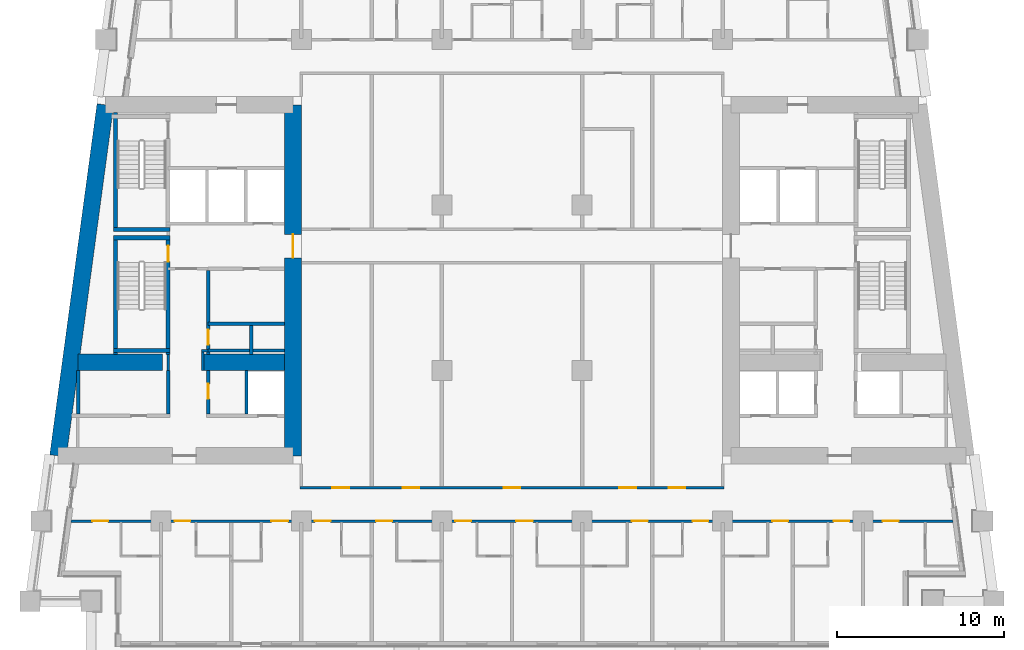
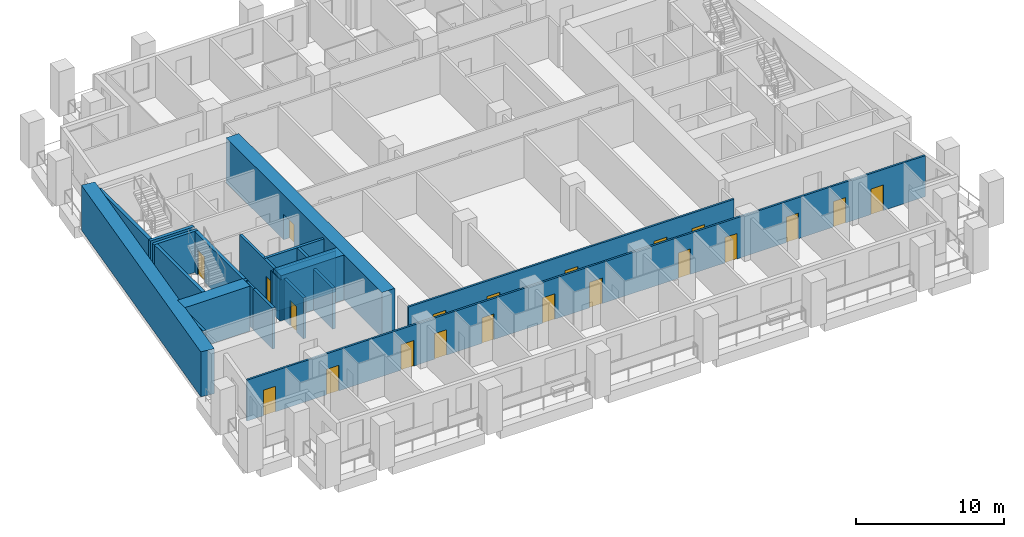
# One storey, part 4 of 14: 23 walls, 21 doors, 21 openings.
"""IFC4 building model written with IfcOpenShell, lengths in metres."""

from ifc_helpers import new_model, si_unit, direction, frame, frame_2d, origin, place, context, subcontext, project, spatial, rectangle, extrude, material, layer, layer_set, type_object, element, fill, save


model = new_model("IFC4")

# Units and contexts
model_context = context("Model", 3, precision=1e-05, world=origin(), true_north=direction((0.0, 1.0)))
body_context = subcontext(model_context, "Body", "Model", "MODEL_VIEW")
ifc_project = project(units=[si_unit("LENGTHUNIT", "METRE"), si_unit("AREAUNIT", "SQUARE_METRE"), si_unit("VOLUMEUNIT", "CUBIC_METRE"), si_unit("PLANEANGLEUNIT", "RADIAN"), si_unit("MASSUNIT", "GRAM", prefix="KILO")], contexts=[model_context])

# Site, building, storey
site_placement = place(None, origin())
site = spatial("IfcSite", under=ifc_project, at=site_placement, CompositionType="ELEMENT")
building_placement = place(site_placement, origin())
building = spatial("IfcBuilding", under=site, at=building_placement, Name="Candeia Pilgrim Tower and Theatre", CompositionType="ELEMENT")
storey_placement = place(building_placement, frame((0.0, 0.0, 116.89990234375)))
storey = spatial("IfcBuildingStorey", under=building, at=storey_placement, Name="L27", CompositionType="ELEMENT", Elevation=116.89990234375)

# Wall, opening, door
ifc_material_1 = material(Name="Concrete C70/85", Category="concrete")
ifc_layer_1 = layer(ifc_material_1, 1.0)
ifc_layer_set_1 = layer_set([ifc_layer_1], Name="Core wall 1000 C70/85")
wall_type_1 = type_object("IfcWallType", Name="Core wall 1000 C70/85", PredefinedType="SHEAR", material=ifc_layer_set_1)
wall_1_placement = place(storey_placement, frame((100.300048828125, 131.89990234375, 0.0), z_axis=(0.0, 0.0, 1.0), x_axis=(0.0, -1.0, 0.0)))
wall_1 = element("IfcWall", 1, at=wall_1_placement, inside=storey, type_object=wall_type_1, Name="Core wall W2", PredefinedType="SHEAR", context=body_context, shape_type="SweptSolid", body=[
    extrude(rectangle(XDim=21.0, YDim=1.0, at=frame_2d((10.5, 0.0))), origin(), (0.0, 0.0, 1.0), 3.7001953125),
])
opening_1_placement = place(wall_1_placement, frame((7.75, 0.0, 0.0)))
opening_1 = element("IfcOpeningElement", 2, at=opening_1_placement, cuts=wall_1, Name="Opening L27-D068", PredefinedType="OPENING", context=body_context, shape_type="SweptSolid", body=[
    extrude(rectangle(XDim=1.39990234375, YDim=2.10009765625, at=frame_2d((0.699951171875, 1.050048828125))), frame((0.0, 0.510009765625, 0.0), z_axis=(0.0, -1.0, 0.0), x_axis=(1.0, 0.0, 0.0)), (0.0, 0.0, 1.0), 1.02001953125),
])
ifc_material_2 = material(Name="Steel fire door set", Category="steel")
door_type_1 = type_object("IfcDoorType", Name="D-1400-FD60", OperationType="NOTDEFINED", PredefinedType="DOOR", material=ifc_material_2)
door_1_placement = place(opening_1_placement, origin())
door_1 = element("IfcDoor", 3, at=door_1_placement, inside=storey, type_object=door_type_1, Name="Door L27-D068", OperationType="SINGLE_SWING_LEFT", OverallHeight=2.10009765625, OverallWidth=1.39990234375, PredefinedType="DOOR", context=body_context, shape_type="SweptSolid", body=[
    extrude(rectangle(XDim=1.39990234375, YDim=2.10009765625, at=frame_2d((0.699951171875, 1.050048828125))), frame((0.0, 0.02490234375, 0.0), z_axis=(0.0, -1.0, 0.0), x_axis=(1.0, 0.0, 0.0)), (0.0, 0.0, 1.0), 0.050048828125),
])
fill(opening_1, door_1)

# Walls
wall_2_placement = place(storey_placement, frame((86.240966796875, 110.89990234375, 0.0), z_axis=(0.0, 0.0, 1.0), x_axis=(0.133411141623, 0.991060778808, 0.0)))
element("IfcWall", 4, at=wall_2_placement, inside=storey, type_object=wall_type_1, Name="Core wall W4", PredefinedType="SHEAR", context=body_context, shape_type="SweptSolid", body=[
    extrude(rectangle(XDim=21.189453125, YDim=1.0, at=frame_2d((10.5947265625, 0.0))), origin(), (0.0, 0.0, 1.0), 3.7001953125),
])
wall_3_placement = place(storey_placement, frame((87.423095703125, 116.5, 0.0), z_axis=(0.0, 0.0, 1.0), x_axis=(1.0, 0.0, 0.0)))
element("IfcWall", 5, at=wall_3_placement, inside=storey, type_object=wall_type_1, Name="Core wall W5", PredefinedType="SHEAR", context=body_context, shape_type="SweptSolid", body=[
    extrude(rectangle(XDim=5.076904296875, YDim=1.0, at=frame_2d((2.53857421875, 0.0))), origin(), (0.0, 0.0, 1.0), 3.7001953125),
])
wall_4_placement = place(storey_placement, frame((94.89990234375, 116.5, 0.0), z_axis=(0.0, 0.0, 1.0), x_axis=(1.0, 0.0, 0.0)))
element("IfcWall", 6, at=wall_4_placement, inside=storey, type_object=wall_type_1, Name="Core wall W6", PredefinedType="SHEAR", context=body_context, shape_type="SweptSolid", body=[
    extrude(rectangle(XDim=4.900146484375, YDim=1.0, at=frame_2d((2.4501953125, 0.0))), origin(), (0.0, 0.0, 1.0), 3.7001953125),
])
ifc_material_3 = material(Name="Gypsum board partition on steel studs", Category="steel")
ifc_layer_2 = layer(ifc_material_3, 0.14990234375)
ifc_layer_set_2 = layer_set([ifc_layer_2], Name="PW-150 lobby wall")
wall_type_2 = type_object("IfcWallType", Name="PW-150 lobby wall", PredefinedType="PARTITIONING", material=ifc_layer_set_2)
wall_5_placement = place(storey_placement, frame((94.824951171875, 117.199951171875, 0.0), z_axis=(0.0, 0.0, 1.0), x_axis=(1.0, 0.0, 0.0)))
element("IfcWall", 7, at=wall_5_placement, inside=storey, type_object=wall_type_2, Name="Lobby wall L27-020", PredefinedType="PARTITIONING", context=body_context, shape_type="SweptSolid", body=[
    extrude(rectangle(XDim=0.402099609375, YDim=0.14990234375, at=frame_2d((0.201171875, 0.0))), origin(), (0.0, 0.0, 1.0), 3.380126953125),
])
wall_6_placement = place(storey_placement, frame((92.826904296875, 116.0, 0.0), z_axis=(0.0, 0.0, 1.0), x_axis=(0.0, 1.0, 0.0)))
element("IfcWall", 8, at=wall_6_placement, inside=storey, type_object=wall_type_2, Name="Lobby wall L27-061", PredefinedType="PARTITIONING", context=body_context, shape_type="SweptSolid", body=[
    extrude(rectangle(XDim=0.969970703125, YDim=0.14990234375, at=frame_2d((0.48486328125, 0.0))), origin(), (0.0, 0.0, 1.0), 3.380126953125),
])
wall_7_placement = place(storey_placement, frame((94.89990234375, 116.0, 0.0), z_axis=(0.0, 0.0, 1.0), x_axis=(0.0, 1.0, 0.0)))
element("IfcWall", 9, at=wall_7_placement, inside=storey, type_object=wall_type_2, Name="Lobby wall L27-067", PredefinedType="PARTITIONING", context=body_context, shape_type="SweptSolid", body=[
    extrude(rectangle(XDim=1.125, YDim=0.14990234375, at=frame_2d((0.5625, 0.0))), origin(), (0.0, 0.0, 1.0), 3.380126953125),
])

# Wall, openings, doors
ifc_layer_3 = layer(ifc_material_3, 0.14990234375)
ifc_layer_set_3 = layer_set([ifc_layer_3], Name="PW-150 unit wall")
wall_type_3 = type_object("IfcWallType", Name="PW-150 unit wall", PredefinedType="PARTITIONING", material=ifc_layer_set_3)
wall_8_placement = place(storey_placement, frame((87.017578125, 107.0, 0.0), z_axis=(0.0, 0.0, 1.0), x_axis=(1.0, 0.0, 0.0)))
wall_8 = element("IfcWall", 10, at=wall_8_placement, inside=storey, type_object=wall_type_3, Name="Unit wall L27-012", PredefinedType="PARTITIONING", context=body_context, shape_type="SweptSolid", body=[
    extrude(rectangle(XDim=52.7646484375, YDim=0.14990234375, at=frame_2d((26.38232421875, 0.0))), origin(), (0.0, 0.0, 1.0), 3.380126953125),
])
opening_2_placement = place(wall_8_placement, frame((1.2763671875, 0.0, 0.0)))
opening_2 = element("IfcOpeningElement", 11, at=opening_2_placement, cuts=wall_8, Name="Opening L27-D014", PredefinedType="OPENING", context=body_context, shape_type="SweptSolid", body=[
    extrude(rectangle(XDim=0.949951171875, YDim=2.10009765625, at=frame_2d((0.47509765625, 1.050048828125))), frame((0.0, 0.0849609375, 0.0), z_axis=(0.0, -1.0, 0.0), x_axis=(1.0, 0.0, 0.0)), (0.0, 0.0, 1.0), 0.169921875),
])
opening_3_placement = place(wall_8_placement, frame((6.1923828125, 0.0, 0.0)))
opening_3 = element("IfcOpeningElement", 12, at=opening_3_placement, cuts=wall_8, Name="Opening L27-D016", PredefinedType="OPENING", context=body_context, shape_type="SweptSolid", body=[
    extrude(rectangle(XDim=0.949951171875, YDim=2.10009765625, at=frame_2d((0.47509765625, 1.050048828125))), frame((0.0, 0.0849609375, 0.0), z_axis=(0.0, -1.0, 0.0), x_axis=(1.0, 0.0, 0.0)), (0.0, 0.0, 1.0), 0.169921875),
])
opening_4_placement = place(wall_8_placement, frame((11.982421875, 0.0, 0.0)))
opening_4 = element("IfcOpeningElement", 13, at=opening_4_placement, cuts=wall_8, Name="Opening L27-D018", PredefinedType="OPENING", context=body_context, shape_type="SweptSolid", body=[
    extrude(rectangle(XDim=1.0, YDim=2.10009765625, at=frame_2d((0.5, 1.050048828125))), frame((0.0, 0.0849609375, 0.0), z_axis=(0.0, -1.0, 0.0), x_axis=(1.0, 0.0, 0.0)), (0.0, 0.0, 1.0), 0.169921875),
])
opening_5_placement = place(wall_8_placement, frame((14.582275390625, 0.0, 0.0)))
opening_5 = element("IfcOpeningElement", 14, at=opening_5_placement, cuts=wall_8, Name="Opening L27-D020", PredefinedType="OPENING", context=body_context, shape_type="SweptSolid", body=[
    extrude(rectangle(XDim=0.949951171875, YDim=2.10009765625, at=frame_2d((0.47509765625, 1.050048828125))), frame((0.0, 0.0849609375, 0.0), z_axis=(0.0, -1.0, 0.0), x_axis=(1.0, 0.0, 0.0)), (0.0, 0.0, 1.0), 0.169921875),
])
opening_6_placement = place(wall_8_placement, frame((18.25732421875, 0.0, 0.0)))
opening_6 = element("IfcOpeningElement", 15, at=opening_6_placement, cuts=wall_8, Name="Opening L27-D022", PredefinedType="OPENING", context=body_context, shape_type="SweptSolid", body=[
    extrude(rectangle(XDim=0.949951171875, YDim=2.10009765625, at=frame_2d((0.47509765625, 1.050048828125))), frame((0.0, 0.0849609375, 0.0), z_axis=(0.0, -1.0, 0.0), x_axis=(1.0, 0.0, 0.0)), (0.0, 0.0, 1.0), 0.169921875),
])
opening_7_placement = place(wall_8_placement, frame((22.9921875, 0.0, 0.0)))
opening_7 = element("IfcOpeningElement", 16, at=opening_7_placement, cuts=wall_8, Name="Opening L27-D024", PredefinedType="OPENING", context=body_context, shape_type="SweptSolid", body=[
    extrude(rectangle(XDim=0.949951171875, YDim=2.10009765625, at=frame_2d((0.47509765625, 1.050048828125))), frame((0.0, 0.0849609375, 0.0), z_axis=(0.0, -1.0, 0.0), x_axis=(1.0, 0.0, 0.0)), (0.0, 0.0, 1.0), 0.169921875),
])
opening_8_placement = place(wall_8_placement, frame((26.63232421875, 0.0, 0.0)))
opening_8 = element("IfcOpeningElement", 17, at=opening_8_placement, cuts=wall_8, Name="Opening L27-D026", PredefinedType="OPENING", context=body_context, shape_type="SweptSolid", body=[
    extrude(rectangle(XDim=1.0, YDim=2.10009765625, at=frame_2d((0.5, 1.050048828125))), frame((0.0, 0.0849609375, 0.0), z_axis=(0.0, -1.0, 0.0), x_axis=(1.0, 0.0, 0.0)), (0.0, 0.0, 1.0), 0.169921875),
])
opening_9_placement = place(wall_8_placement, frame((33.557373046875, 0.0, 0.0)))
opening_9 = element("IfcOpeningElement", 18, at=opening_9_placement, cuts=wall_8, Name="Opening L27-D028", PredefinedType="OPENING", context=body_context, shape_type="SweptSolid", body=[
    extrude(rectangle(XDim=0.949951171875, YDim=2.10009765625, at=frame_2d((0.47509765625, 1.050048828125))), frame((0.0, 0.0849609375, 0.0), z_axis=(0.0, -1.0, 0.0), x_axis=(1.0, 0.0, 0.0)), (0.0, 0.0, 1.0), 0.169921875),
])
opening_10_placement = place(wall_8_placement, frame((37.182373046875, 0.0, 0.0)))
opening_10 = element("IfcOpeningElement", 19, at=opening_10_placement, cuts=wall_8, Name="Opening L27-D030", PredefinedType="OPENING", context=body_context, shape_type="SweptSolid", body=[
    extrude(rectangle(XDim=0.949951171875, YDim=2.10009765625, at=frame_2d((0.47509765625, 1.050048828125))), frame((0.0, 0.0849609375, 0.0), z_axis=(0.0, -1.0, 0.0), x_axis=(1.0, 0.0, 0.0)), (0.0, 0.0, 1.0), 0.169921875),
])
opening_11_placement = place(wall_8_placement, frame((41.957275390625, 0.0, 0.0)))
opening_11 = element("IfcOpeningElement", 20, at=opening_11_placement, cuts=wall_8, Name="Opening L27-D032", PredefinedType="OPENING", context=body_context, shape_type="SweptSolid", body=[
    extrude(rectangle(XDim=0.949951171875, YDim=2.10009765625, at=frame_2d((0.47509765625, 1.050048828125))), frame((0.0, 0.0849609375, 0.0), z_axis=(0.0, -1.0, 0.0), x_axis=(1.0, 0.0, 0.0)), (0.0, 0.0, 1.0), 0.169921875),
])
opening_12_placement = place(wall_8_placement, frame((45.622314453125, 0.0, 0.0)))
opening_12 = element("IfcOpeningElement", 21, at=opening_12_placement, cuts=wall_8, Name="Opening L27-D034", PredefinedType="OPENING", context=body_context, shape_type="SweptSolid", body=[
    extrude(rectangle(XDim=0.949951171875, YDim=2.10009765625, at=frame_2d((0.47509765625, 1.050048828125))), frame((0.0, 0.0849609375, 0.0), z_axis=(0.0, -1.0, 0.0), x_axis=(1.0, 0.0, 0.0)), (0.0, 0.0, 1.0), 0.169921875),
])
opening_13_placement = place(wall_8_placement, frame((48.560302734375, 0.0, 0.0)))
opening_13 = element("IfcOpeningElement", 22, at=opening_13_placement, cuts=wall_8, Name="Opening L27-D036", PredefinedType="OPENING", context=body_context, shape_type="SweptSolid", body=[
    extrude(rectangle(XDim=0.949951171875, YDim=2.10009765625, at=frame_2d((0.47509765625, 1.050048828125))), frame((0.0, 0.0849609375, 0.0), z_axis=(0.0, -1.0, 0.0), x_axis=(1.0, 0.0, 0.0)), (0.0, 0.0, 1.0), 0.169921875),
])
door_type_2 = type_object("IfcDoorType", Name="D-1000-FD30S", OperationType="NOTDEFINED", PredefinedType="DOOR", material=ifc_material_2)
door_2_placement = place(opening_4_placement, origin())
door_2 = element("IfcDoor", 23, at=door_2_placement, inside=storey, type_object=door_type_2, Name="Door L27-D018", OperationType="SINGLE_SWING_LEFT", OverallHeight=2.10009765625, OverallWidth=1.0, PredefinedType="DOOR", context=body_context, shape_type="SweptSolid", body=[
    extrude(rectangle(XDim=1.0, YDim=2.10009765625, at=frame_2d((0.5, 1.050048828125))), frame((0.0, 0.02490234375, 0.0), z_axis=(0.0, -1.0, 0.0), x_axis=(1.0, 0.0, 0.0)), (0.0, 0.0, 1.0), 0.050048828125),
])
fill(opening_4, door_2)
door_3_placement = place(opening_8_placement, origin())
door_3 = element("IfcDoor", 24, at=door_3_placement, inside=storey, type_object=door_type_2, Name="Door L27-D026", OperationType="SINGLE_SWING_LEFT", OverallHeight=2.10009765625, OverallWidth=1.0, PredefinedType="DOOR", context=body_context, shape_type="SweptSolid", body=[
    extrude(rectangle(XDim=1.0, YDim=2.10009765625, at=frame_2d((0.5, 1.050048828125))), frame((0.0, 0.02490234375, 0.0), z_axis=(0.0, -1.0, 0.0), x_axis=(1.0, 0.0, 0.0)), (0.0, 0.0, 1.0), 0.050048828125),
])
fill(opening_8, door_3)
door_type_3 = type_object("IfcDoorType", Name="D-950-FD30S", OperationType="NOTDEFINED", PredefinedType="DOOR", material=ifc_material_2)
door_4_placement = place(opening_2_placement, origin())
door_4 = element("IfcDoor", 25, at=door_4_placement, inside=storey, type_object=door_type_3, Name="Door L27-D014", OperationType="SINGLE_SWING_LEFT", OverallHeight=2.10009765625, OverallWidth=0.949951171875, PredefinedType="DOOR", context=body_context, shape_type="SweptSolid", body=[
    extrude(rectangle(XDim=0.949951171875, YDim=2.10009765625, at=frame_2d((0.47509765625, 1.050048828125))), frame((0.0, 0.02490234375, 0.0), z_axis=(0.0, -1.0, 0.0), x_axis=(1.0, 0.0, 0.0)), (0.0, 0.0, 1.0), 0.050048828125),
])
fill(opening_2, door_4)
door_5_placement = place(opening_3_placement, origin())
door_5 = element("IfcDoor", 26, at=door_5_placement, inside=storey, type_object=door_type_3, Name="Door L27-D016", OperationType="SINGLE_SWING_LEFT", OverallHeight=2.10009765625, OverallWidth=0.949951171875, PredefinedType="DOOR", context=body_context, shape_type="SweptSolid", body=[
    extrude(rectangle(XDim=0.949951171875, YDim=2.10009765625, at=frame_2d((0.47509765625, 1.050048828125))), frame((0.0, 0.02490234375, 0.0), z_axis=(0.0, -1.0, 0.0), x_axis=(1.0, 0.0, 0.0)), (0.0, 0.0, 1.0), 0.050048828125),
])
fill(opening_3, door_5)
door_6_placement = place(opening_5_placement, origin())
door_6 = element("IfcDoor", 27, at=door_6_placement, inside=storey, type_object=door_type_3, Name="Door L27-D020", OperationType="SINGLE_SWING_LEFT", OverallHeight=2.10009765625, OverallWidth=0.949951171875, PredefinedType="DOOR", context=body_context, shape_type="SweptSolid", body=[
    extrude(rectangle(XDim=0.949951171875, YDim=2.10009765625, at=frame_2d((0.47509765625, 1.050048828125))), frame((0.0, 0.02490234375, 0.0), z_axis=(0.0, -1.0, 0.0), x_axis=(1.0, 0.0, 0.0)), (0.0, 0.0, 1.0), 0.050048828125),
])
fill(opening_5, door_6)
door_7_placement = place(opening_6_placement, origin())
door_7 = element("IfcDoor", 28, at=door_7_placement, inside=storey, type_object=door_type_3, Name="Door L27-D022", OperationType="SINGLE_SWING_LEFT", OverallHeight=2.10009765625, OverallWidth=0.949951171875, PredefinedType="DOOR", context=body_context, shape_type="SweptSolid", body=[
    extrude(rectangle(XDim=0.949951171875, YDim=2.10009765625, at=frame_2d((0.47509765625, 1.050048828125))), frame((0.0, 0.02490234375, 0.0), z_axis=(0.0, -1.0, 0.0), x_axis=(1.0, 0.0, 0.0)), (0.0, 0.0, 1.0), 0.050048828125),
])
fill(opening_6, door_7)
door_8_placement = place(opening_7_placement, origin())
door_8 = element("IfcDoor", 29, at=door_8_placement, inside=storey, type_object=door_type_3, Name="Door L27-D024", OperationType="SINGLE_SWING_LEFT", OverallHeight=2.10009765625, OverallWidth=0.949951171875, PredefinedType="DOOR", context=body_context, shape_type="SweptSolid", body=[
    extrude(rectangle(XDim=0.949951171875, YDim=2.10009765625, at=frame_2d((0.47509765625, 1.050048828125))), frame((0.0, 0.02490234375, 0.0), z_axis=(0.0, -1.0, 0.0), x_axis=(1.0, 0.0, 0.0)), (0.0, 0.0, 1.0), 0.050048828125),
])
fill(opening_7, door_8)
door_9_placement = place(opening_9_placement, origin())
door_9 = element("IfcDoor", 30, at=door_9_placement, inside=storey, type_object=door_type_3, Name="Door L27-D028", OperationType="SINGLE_SWING_LEFT", OverallHeight=2.10009765625, OverallWidth=0.949951171875, PredefinedType="DOOR", context=body_context, shape_type="SweptSolid", body=[
    extrude(rectangle(XDim=0.949951171875, YDim=2.10009765625, at=frame_2d((0.47509765625, 1.050048828125))), frame((0.0, 0.02490234375, 0.0), z_axis=(0.0, -1.0, 0.0), x_axis=(1.0, 0.0, 0.0)), (0.0, 0.0, 1.0), 0.050048828125),
])
fill(opening_9, door_9)
door_10_placement = place(opening_10_placement, origin())
door_10 = element("IfcDoor", 31, at=door_10_placement, inside=storey, type_object=door_type_3, Name="Door L27-D030", OperationType="SINGLE_SWING_LEFT", OverallHeight=2.10009765625, OverallWidth=0.949951171875, PredefinedType="DOOR", context=body_context, shape_type="SweptSolid", body=[
    extrude(rectangle(XDim=0.949951171875, YDim=2.10009765625, at=frame_2d((0.47509765625, 1.050048828125))), frame((0.0, 0.02490234375, 0.0), z_axis=(0.0, -1.0, 0.0), x_axis=(1.0, 0.0, 0.0)), (0.0, 0.0, 1.0), 0.050048828125),
])
fill(opening_10, door_10)
door_11_placement = place(opening_11_placement, origin())
door_11 = element("IfcDoor", 32, at=door_11_placement, inside=storey, type_object=door_type_3, Name="Door L27-D032", OperationType="SINGLE_SWING_LEFT", OverallHeight=2.10009765625, OverallWidth=0.949951171875, PredefinedType="DOOR", context=body_context, shape_type="SweptSolid", body=[
    extrude(rectangle(XDim=0.949951171875, YDim=2.10009765625, at=frame_2d((0.47509765625, 1.050048828125))), frame((0.0, 0.02490234375, 0.0), z_axis=(0.0, -1.0, 0.0), x_axis=(1.0, 0.0, 0.0)), (0.0, 0.0, 1.0), 0.050048828125),
])
fill(opening_11, door_11)
door_12_placement = place(opening_12_placement, origin())
door_12 = element("IfcDoor", 33, at=door_12_placement, inside=storey, type_object=door_type_3, Name="Door L27-D034", OperationType="SINGLE_SWING_LEFT", OverallHeight=2.10009765625, OverallWidth=0.949951171875, PredefinedType="DOOR", context=body_context, shape_type="SweptSolid", body=[
    extrude(rectangle(XDim=0.949951171875, YDim=2.10009765625, at=frame_2d((0.47509765625, 1.050048828125))), frame((0.0, 0.02490234375, 0.0), z_axis=(0.0, -1.0, 0.0), x_axis=(1.0, 0.0, 0.0)), (0.0, 0.0, 1.0), 0.050048828125),
])
fill(opening_12, door_12)
door_13_placement = place(opening_13_placement, origin())
door_13 = element("IfcDoor", 34, at=door_13_placement, inside=storey, type_object=door_type_3, Name="Door L27-D036", OperationType="SINGLE_SWING_LEFT", OverallHeight=2.10009765625, OverallWidth=0.949951171875, PredefinedType="DOOR", context=body_context, shape_type="SweptSolid", body=[
    extrude(rectangle(XDim=0.949951171875, YDim=2.10009765625, at=frame_2d((0.47509765625, 1.050048828125))), frame((0.0, 0.02490234375, 0.0), z_axis=(0.0, -1.0, 0.0), x_axis=(1.0, 0.0, 0.0)), (0.0, 0.0, 1.0), 0.050048828125),
])
fill(opening_13, door_13)

wall_9_placement = place(storey_placement, frame((100.72509765625, 109.0, 0.0), z_axis=(0.0, 0.0, 1.0), x_axis=(1.0, 0.0, 0.0)))
wall_9 = element("IfcWall", 35, at=wall_9_placement, inside=storey, type_object=wall_type_3, Name="Unit wall L27-013", PredefinedType="PARTITIONING", context=body_context, shape_type="SweptSolid", body=[
    extrude(rectangle(XDim=25.349853515625, YDim=0.14990234375, at=frame_2d((12.6748046875, 0.0))), origin(), (0.0, 0.0, 1.0), 3.380126953125),
])
opening_14_placement = place(wall_9_placement, frame((1.925048828125, 0.0, 0.0)))
opening_14 = element("IfcOpeningElement", 36, at=opening_14_placement, cuts=wall_9, Name="Opening L27-D056", PredefinedType="OPENING", context=body_context, shape_type="SweptSolid", body=[
    extrude(rectangle(XDim=1.0, YDim=2.10009765625, at=frame_2d((0.5, 1.050048828125))), frame((0.0, 0.0849609375, 0.0), z_axis=(0.0, -1.0, 0.0), x_axis=(1.0, 0.0, 0.0)), (0.0, 0.0, 1.0), 0.169921875),
])
opening_15_placement = place(wall_9_placement, frame((6.125, 0.0, 0.0)))
opening_15 = element("IfcOpeningElement", 37, at=opening_15_placement, cuts=wall_9, Name="Opening L27-D057", PredefinedType="OPENING", context=body_context, shape_type="SweptSolid", body=[
    extrude(rectangle(XDim=1.0, YDim=2.10009765625, at=frame_2d((0.5, 1.050048828125))), frame((0.0, 0.0849609375, 0.0), z_axis=(0.0, -1.0, 0.0), x_axis=(1.0, 0.0, 0.0)), (0.0, 0.0, 1.0), 0.169921875),
])
opening_16_placement = place(wall_9_placement, frame((12.175048828125, 0.0, 0.0)))
opening_16 = element("IfcOpeningElement", 38, at=opening_16_placement, cuts=wall_9, Name="Opening L27-D058", PredefinedType="OPENING", context=body_context, shape_type="SweptSolid", body=[
    extrude(rectangle(XDim=1.0, YDim=2.10009765625, at=frame_2d((0.5, 1.050048828125))), frame((0.0, 0.0849609375, 0.0), z_axis=(0.0, -1.0, 0.0), x_axis=(1.0, 0.0, 0.0)), (0.0, 0.0, 1.0), 0.169921875),
])
opening_17_placement = place(wall_9_placement, frame((19.10009765625, 0.0, 0.0)))
opening_17 = element("IfcOpeningElement", 39, at=opening_17_placement, cuts=wall_9, Name="Opening L27-D059", PredefinedType="OPENING", context=body_context, shape_type="SweptSolid", body=[
    extrude(rectangle(XDim=1.0, YDim=2.10009765625, at=frame_2d((0.5, 1.050048828125))), frame((0.0, 0.0849609375, 0.0), z_axis=(0.0, -1.0, 0.0), x_axis=(1.0, 0.0, 0.0)), (0.0, 0.0, 1.0), 0.169921875),
])
opening_18_placement = place(wall_9_placement, frame((22.050048828125, 0.0, 0.0)))
opening_18 = element("IfcOpeningElement", 40, at=opening_18_placement, cuts=wall_9, Name="Opening L27-D060", PredefinedType="OPENING", context=body_context, shape_type="SweptSolid", body=[
    extrude(rectangle(XDim=1.0, YDim=2.10009765625, at=frame_2d((0.5, 1.050048828125))), frame((0.0, 0.0849609375, 0.0), z_axis=(0.0, -1.0, 0.0), x_axis=(1.0, 0.0, 0.0)), (0.0, 0.0, 1.0), 0.169921875),
])
door_14_placement = place(opening_14_placement, origin())
door_14 = element("IfcDoor", 41, at=door_14_placement, inside=storey, type_object=door_type_2, Name="Door L27-D056", OperationType="SINGLE_SWING_LEFT", OverallHeight=2.10009765625, OverallWidth=1.0, PredefinedType="DOOR", context=body_context, shape_type="SweptSolid", body=[
    extrude(rectangle(XDim=1.0, YDim=2.10009765625, at=frame_2d((0.5, 1.050048828125))), frame((0.0, 0.02490234375, 0.0), z_axis=(0.0, -1.0, 0.0), x_axis=(1.0, 0.0, 0.0)), (0.0, 0.0, 1.0), 0.050048828125),
])
fill(opening_14, door_14)
door_15_placement = place(opening_15_placement, origin())
door_15 = element("IfcDoor", 42, at=door_15_placement, inside=storey, type_object=door_type_2, Name="Door L27-D057", OperationType="SINGLE_SWING_RIGHT", OverallHeight=2.10009765625, OverallWidth=1.0, PredefinedType="DOOR", context=body_context, shape_type="SweptSolid", body=[
    extrude(rectangle(XDim=1.0, YDim=2.10009765625, at=frame_2d((0.5, 1.050048828125))), frame((0.0, 0.02490234375, 0.0), z_axis=(0.0, -1.0, 0.0), x_axis=(1.0, 0.0, 0.0)), (0.0, 0.0, 1.0), 0.050048828125),
])
fill(opening_15, door_15)
door_16_placement = place(opening_16_placement, origin())
door_16 = element("IfcDoor", 43, at=door_16_placement, inside=storey, type_object=door_type_2, Name="Door L27-D058", OperationType="SINGLE_SWING_LEFT", OverallHeight=2.10009765625, OverallWidth=1.0, PredefinedType="DOOR", context=body_context, shape_type="SweptSolid", body=[
    extrude(rectangle(XDim=1.0, YDim=2.10009765625, at=frame_2d((0.5, 1.050048828125))), frame((0.0, 0.02490234375, 0.0), z_axis=(0.0, -1.0, 0.0), x_axis=(1.0, 0.0, 0.0)), (0.0, 0.0, 1.0), 0.050048828125),
])
fill(opening_16, door_16)
door_17_placement = place(opening_17_placement, origin())
door_17 = element("IfcDoor", 44, at=door_17_placement, inside=storey, type_object=door_type_2, Name="Door L27-D059", OperationType="SINGLE_SWING_RIGHT", OverallHeight=2.10009765625, OverallWidth=1.0, PredefinedType="DOOR", context=body_context, shape_type="SweptSolid", body=[
    extrude(rectangle(XDim=1.0, YDim=2.10009765625, at=frame_2d((0.5, 1.050048828125))), frame((0.0, 0.02490234375, 0.0), z_axis=(0.0, -1.0, 0.0), x_axis=(1.0, 0.0, 0.0)), (0.0, 0.0, 1.0), 0.050048828125),
])
fill(opening_17, door_17)
door_18_placement = place(opening_18_placement, origin())
door_18 = element("IfcDoor", 45, at=door_18_placement, inside=storey, type_object=door_type_2, Name="Door L27-D060", OperationType="SINGLE_SWING_LEFT", OverallHeight=2.10009765625, OverallWidth=1.0, PredefinedType="DOOR", context=body_context, shape_type="SweptSolid", body=[
    extrude(rectangle(XDim=1.0, YDim=2.10009765625, at=frame_2d((0.5, 1.050048828125))), frame((0.0, 0.02490234375, 0.0), z_axis=(0.0, -1.0, 0.0), x_axis=(1.0, 0.0, 0.0)), (0.0, 0.0, 1.0), 0.050048828125),
])
fill(opening_18, door_18)

# Walls
ifc_material_4 = material(Name="Concrete C40/50", Category="concrete")
ifc_layer_4 = layer(ifc_material_4, 0.199951171875)
ifc_layer_set_4 = layer_set([ifc_layer_4], Name="SW-200 shaft wall")
wall_type_4 = type_object("IfcWallType", Name="SW-200 shaft wall", PredefinedType="PARTITIONING", material=ifc_layer_set_4)
for number, where, z_axis, x_axis, name in (
    (46, (95.22705078125, 117.199951171875, 0.0), (0.0, 0.0, 1.0), (1.0, 0.0, 0.0), "Shaft wall L27-018"),
    (47, (95.22705078125, 118.800048828125, 0.0), (0.0, 0.0, 1.0), (1.0, 0.0, 0.0), "Shaft wall L27-024"),
):
    element("IfcWall", number, at=place(storey_placement, frame(where, z_axis=z_axis, x_axis=x_axis)), inside=storey, type_object=wall_type_4, Name=name, PredefinedType="PARTITIONING", context=body_context, shape_type="SweptSolid", body=[
        extrude(rectangle(XDim=4.572998046875, YDim=0.199951171875, at=frame_2d((2.28662109375, 0.0))), origin(), (0.0, 0.0, 1.0), 3.380126953125),
    ])
for number, where, z_axis, x_axis, name in (
    (48, (87.451171875, 113.39990234375, 0.0), (0.0, 0.0, 1.0), (0.0, 1.0, 0.0), "Shaft wall L27-054"),
    (49, (92.826904296875, 113.39990234375, 0.0), (0.0, 0.0, 1.0), (0.0, 1.0, 0.0), "Shaft wall L27-060"),
):
    element("IfcWall", number, at=place(storey_placement, frame(where, z_axis=z_axis, x_axis=x_axis)), inside=storey, type_object=wall_type_4, Name=name, PredefinedType="PARTITIONING", context=body_context, shape_type="SweptSolid", body=[
        extrude(rectangle(XDim=2.60009765625, YDim=0.199951171875, at=frame_2d((1.300048828125, 0.0))), origin(), (0.0, 0.0, 1.0), 3.380126953125),
    ])

# Wall, opening, door
wall_10_placement = place(storey_placement, frame((95.22705078125, 113.39990234375, 0.0), z_axis=(0.0, 0.0, 1.0), x_axis=(0.0, 1.0, 0.0)))
wall_10 = element("IfcWall", 50, at=wall_10_placement, inside=storey, type_object=wall_type_4, Name="Shaft wall L27-069", PredefinedType="PARTITIONING", context=body_context, shape_type="SweptSolid", body=[
    extrude(rectangle(XDim=2.60009765625, YDim=0.199951171875, at=frame_2d((1.300048828125, 0.0))), origin(), (0.0, 0.0, 1.0), 3.380126953125),
])
opening_19_placement = place(wall_10_placement, frame((0.909912109375, 0.0, 0.0)))
opening_19 = element("IfcOpeningElement", 51, at=opening_19_placement, cuts=wall_10, Name="Opening L27-D007", PredefinedType="OPENING", context=body_context, shape_type="SweptSolid", body=[
    extrude(rectangle(XDim=0.89990234375, YDim=2.10009765625, at=frame_2d((0.449951171875, 1.050048828125))), frame((0.0, 0.10986328125, 0.0), z_axis=(0.0, -1.0, 0.0), x_axis=(1.0, 0.0, 0.0)), (0.0, 0.0, 1.0), 0.219970703125),
])
door_type_4 = type_object("IfcDoorType", Name="D-900-FD60", OperationType="NOTDEFINED", PredefinedType="DOOR", material=ifc_material_2)
door_19_placement = place(opening_19_placement, origin())
door_19 = element("IfcDoor", 52, at=door_19_placement, inside=storey, type_object=door_type_4, Name="Door L27-D007", OperationType="SINGLE_SWING_LEFT", OverallHeight=2.10009765625, OverallWidth=0.89990234375, PredefinedType="DOOR", context=body_context, shape_type="SweptSolid", body=[
    extrude(rectangle(XDim=0.89990234375, YDim=2.10009765625, at=frame_2d((0.449951171875, 1.050048828125))), frame((0.0, 0.02490234375, 0.0), z_axis=(0.0, -1.0, 0.0), x_axis=(1.0, 0.0, 0.0)), (0.0, 0.0, 1.0), 0.050048828125),
])
fill(opening_19, door_19)

wall_11_placement = place(storey_placement, frame((95.22705078125, 116.969970703125, 0.0), z_axis=(0.0, 0.0, 1.0), x_axis=(0.0, 1.0, 0.0)))
wall_11 = element("IfcWall", 53, at=wall_11_placement, inside=storey, type_object=wall_type_4, Name="Shaft wall L27-070", PredefinedType="PARTITIONING", context=body_context, shape_type="SweptSolid", body=[
    extrude(rectangle(XDim=5.030029296875, YDim=0.199951171875, at=frame_2d((2.51513671875, 0.0))), origin(), (0.0, 0.0, 1.0), 3.380126953125),
])
opening_20_placement = place(wall_11_placement, frame((0.580078125, 0.0, 0.0)))
opening_20 = element("IfcOpeningElement", 54, at=opening_20_placement, cuts=wall_11, Name="Opening L27-D005", PredefinedType="OPENING", context=body_context, shape_type="SweptSolid", body=[
    extrude(rectangle(XDim=0.89990234375, YDim=2.10009765625, at=frame_2d((0.449951171875, 1.050048828125))), frame((0.0, 0.10986328125, 0.0), z_axis=(0.0, -1.0, 0.0), x_axis=(1.0, 0.0, 0.0)), (0.0, 0.0, 1.0), 0.219970703125),
])
door_20_placement = place(opening_20_placement, origin())
door_20 = element("IfcDoor", 55, at=door_20_placement, inside=storey, type_object=door_type_4, Name="Door L27-D005", OperationType="SINGLE_SWING_RIGHT", OverallHeight=2.10009765625, OverallWidth=0.89990234375, PredefinedType="DOOR", context=body_context, shape_type="SweptSolid", body=[
    extrude(rectangle(XDim=0.89990234375, YDim=2.10009765625, at=frame_2d((0.449951171875, 1.050048828125))), frame((0.0, 0.02490234375, 0.0), z_axis=(0.0, -1.0, 0.0), x_axis=(1.0, 0.0, 0.0)), (0.0, 0.0, 1.0), 0.050048828125),
])
fill(opening_20, door_20)

# Walls
wall_12_placement = place(storey_placement, frame((97.513427734375, 113.39990234375, 0.0), z_axis=(0.0, 0.0, 1.0), x_axis=(0.0, 1.0, 0.0)))
element("IfcWall", 56, at=wall_12_placement, inside=storey, type_object=wall_type_4, Name="Shaft wall L27-074", PredefinedType="PARTITIONING", context=body_context, shape_type="SweptSolid", body=[
    extrude(rectangle(XDim=2.60009765625, YDim=0.199951171875, at=frame_2d((1.300048828125, 0.0))), origin(), (0.0, 0.0, 1.0), 3.380126953125),
])
wall_13_placement = place(storey_placement, frame((97.800048828125, 116.969970703125, 0.0), z_axis=(0.0, 0.0, 1.0), x_axis=(0.0, 1.0, 0.0)))
element("IfcWall", 57, at=wall_13_placement, inside=storey, type_object=wall_type_4, Name="Shaft wall L27-075", PredefinedType="PARTITIONING", context=body_context, shape_type="SweptSolid", body=[
    extrude(rectangle(XDim=1.72998046875, YDim=0.199951171875, at=frame_2d((0.864990234375, 0.0))), origin(), (0.0, 0.0, 1.0), 3.380126953125),
])
ifc_layer_5 = layer(ifc_material_4, 0.25)
ifc_layer_set_5 = layer_set([ifc_layer_5], Name="SW-250 stair wall")
wall_type_5 = type_object("IfcWallType", Name="SW-250 stair wall", PredefinedType="PARTITIONING", material=ifc_layer_set_5)
for number, where, z_axis, x_axis, name in (
    (58, (89.552001953125, 117.199951171875, 0.0), (0.0, 0.0, 1.0), (1.0, 0.0, 0.0), "Stair wall L27-022"),
    (59, (89.552001953125, 123.949951171875, 0.0), (0.0, 0.0, 1.0), (1.0, 0.0, 0.0), "Stair wall L27-031"),
    (60, (89.552001953125, 124.449951171875, 0.0), (0.0, 0.0, 1.0), (1.0, 0.0, 0.0), "Stair wall L27-033"),
):
    element("IfcWall", number, at=place(storey_placement, frame(where, z_axis=z_axis, x_axis=x_axis)), inside=storey, type_object=wall_type_5, Name=name, PredefinedType="PARTITIONING", context=body_context, shape_type="SweptSolid", body=[
        extrude(rectangle(XDim=3.39990234375, YDim=0.25, at=frame_2d((1.699951171875, 0.0))), origin(), (0.0, 0.0, 1.0), 3.380126953125),
    ])
for number, where, z_axis, x_axis, name in (
    (61, (89.677001953125, 116.969970703125, 0.0), (0.0, 0.0, 1.0), (0.0, 1.0, 0.0), "Stair wall L27-056"),
    (62, (89.677001953125, 124.574951171875, 0.0), (0.0, 0.0, 1.0), (0.0, 1.0, 0.0), "Stair wall L27-057"),
):
    element("IfcWall", number, at=place(storey_placement, frame(where, z_axis=z_axis, x_axis=x_axis)), inside=storey, type_object=wall_type_5, Name=name, PredefinedType="PARTITIONING", context=body_context, shape_type="SweptSolid", body=[
        extrude(rectangle(XDim=6.85498046875, YDim=0.25, at=frame_2d((3.427490234375, 0.0))), origin(), (0.0, 0.0, 1.0), 3.380126953125),
    ])

# Wall, opening, door
wall_14_placement = place(storey_placement, frame((92.826904296875, 116.969970703125, 0.0), z_axis=(0.0, 0.0, 1.0), x_axis=(0.0, 1.0, 0.0)))
wall_14 = element("IfcWall", 63, at=wall_14_placement, inside=storey, type_object=wall_type_5, Name="Stair wall L27-063", PredefinedType="PARTITIONING", context=body_context, shape_type="SweptSolid", body=[
    extrude(rectangle(XDim=6.85498046875, YDim=0.25, at=frame_2d((3.427490234375, 0.0))), origin(), (0.0, 0.0, 1.0), 3.380126953125),
])
opening_21_placement = place(wall_14_placement, frame((5.554931640625, 0.0, 0.0)))
opening_21 = element("IfcOpeningElement", 64, at=opening_21_placement, cuts=wall_14, Name="Opening L27-D003", PredefinedType="OPENING", context=body_context, shape_type="SweptSolid", body=[
    extrude(rectangle(XDim=0.949951171875, YDim=2.10009765625, at=frame_2d((0.47509765625, 1.050048828125))), frame((0.0, 0.135009765625, 0.0), z_axis=(0.0, -1.0, 0.0), x_axis=(1.0, 0.0, 0.0)), (0.0, 0.0, 1.0), 0.27001953125),
])
door_type_5 = type_object("IfcDoorType", Name="D-950-FD60", OperationType="NOTDEFINED", PredefinedType="DOOR", material=ifc_material_2)
door_21_placement = place(opening_21_placement, origin())
door_21 = element("IfcDoor", 65, at=door_21_placement, inside=storey, type_object=door_type_5, Name="Door L27-D003", OperationType="SINGLE_SWING_RIGHT", OverallHeight=2.10009765625, OverallWidth=0.949951171875, PredefinedType="DOOR", context=body_context, shape_type="SweptSolid", body=[
    extrude(rectangle(XDim=0.949951171875, YDim=2.10009765625, at=frame_2d((0.47509765625, 1.050048828125))), frame((0.0, 0.02490234375, 0.0), z_axis=(0.0, -1.0, 0.0), x_axis=(1.0, 0.0, 0.0)), (0.0, 0.0, 1.0), 0.050048828125),
])
fill(opening_21, door_21)

save(model, "model.ifc")
